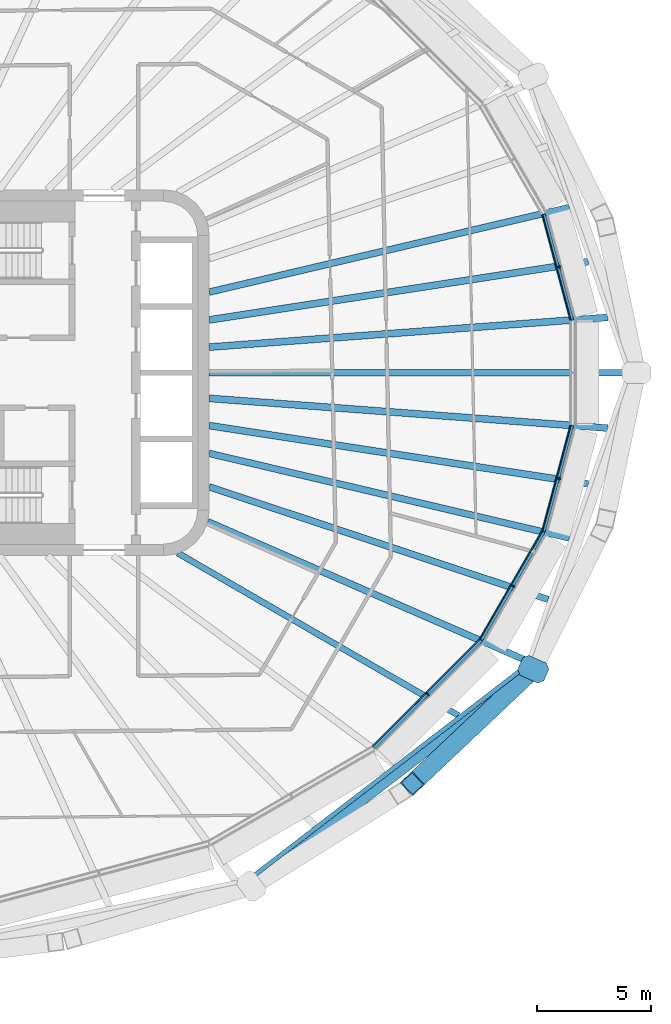
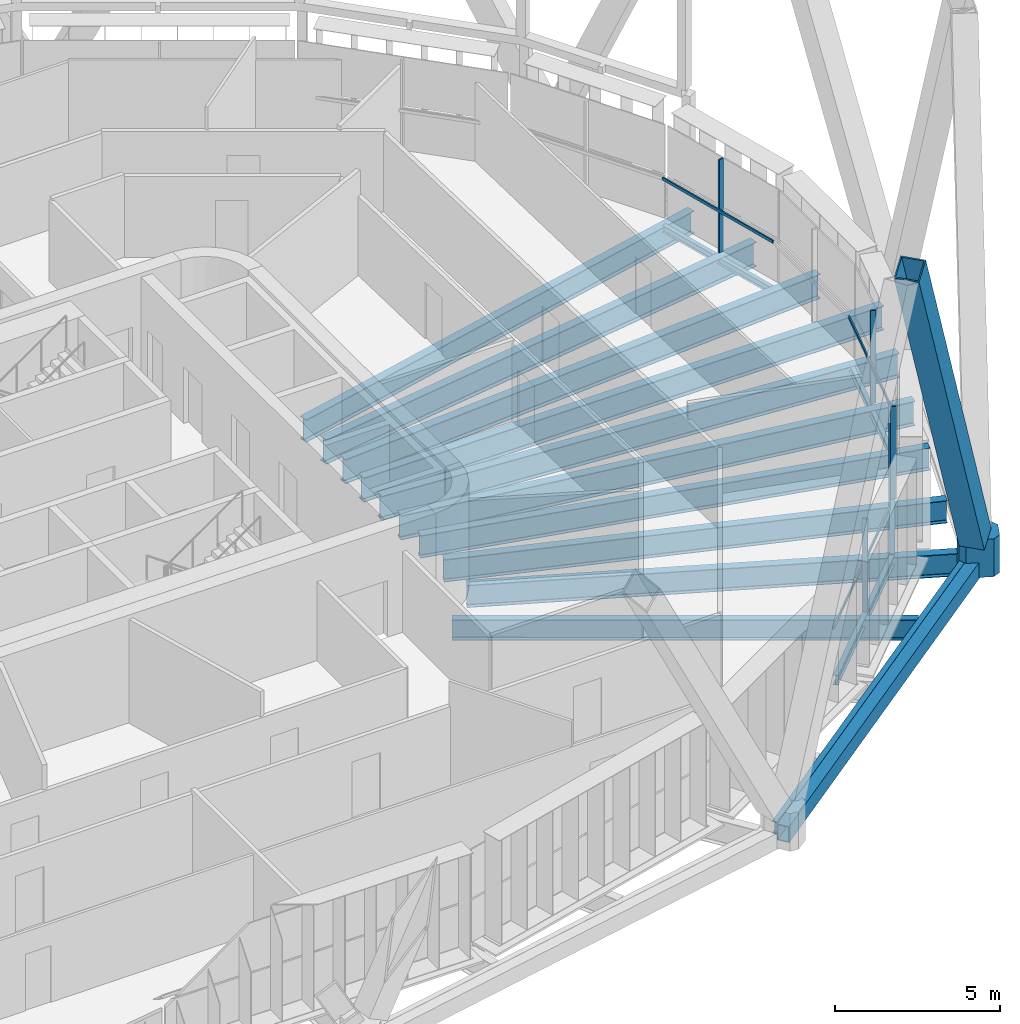
# One storey, part 4 of 25: 16 beams, 10 members, 4 elements without a shape of their own.
"""IFC4 building model written with IfcOpenShell, lengths in metres."""

from ifc_helpers import new_model, si_unit, direction, frame, origin, origin_2d, place, context, subcontext, project, spatial, polyline, rectangle, hollow_rectangle, i_section, outline, extrude, material, layer, layer_set, material_profile, profile_set, type_object, element, aggregate, save


model = new_model("IFC4")

# Units and contexts
model_context = context("Model", 3, precision=1e-05, world=origin(), true_north=direction((0.0, 1.0)))
body_context = subcontext(model_context, "Body", "Model", "MODEL_VIEW")
ifc_project = project(units=[si_unit("LENGTHUNIT", "METRE"), si_unit("AREAUNIT", "SQUARE_METRE"), si_unit("VOLUMEUNIT", "CUBIC_METRE"), si_unit("PLANEANGLEUNIT", "RADIAN"), si_unit("MASSUNIT", "GRAM", prefix="KILO")], contexts=[model_context])

# Site, building, storey
site_placement = place(None, origin())
site = spatial("IfcSite", under=ifc_project, at=site_placement, CompositionType="ELEMENT")
building_placement = place(site_placement, origin())
building = spatial("IfcBuilding", under=site, at=building_placement, Name="Sahrelin Media Tower", CompositionType="ELEMENT")
storey_placement = place(building_placement, frame((0.0, 0.0, 181.60009765625)))
storey = spatial("IfcBuildingStorey", under=building, at=storey_placement, Name="L38", CompositionType="ELEMENT", Elevation=181.60009765625)

# Members
ifc_material_1 = material(Name="Steel S460", Category="steel")
ifc_material_profile_1 = material_profile(ifc_material_1, hollow_rectangle(XDim=0.800048828125, YDim=0.800048828125, WallThickness=0.044921875, at=origin_2d()), Name="Diagrid diagonal DG5")
ifc_profile_set_1 = profile_set([ifc_material_profile_1], Name="Steel S460")
member_type_1 = type_object("IfcMemberType", Name="Diagrid diagonal DG5", PredefinedType="BRACE", material=ifc_profile_set_1)
member_1_placement = place(storey_placement, frame((28.927001953125, -13.191162109375, 0.699951171875), z_axis=(-0.312231776108, -0.295199304716, 0.90297767884), x_axis=(0.687009358213, -0.726648568242, 0.0)))
element("IfcMember", 1, at=member_1_placement, inside=storey, type_object=member_type_1, Name="Diagrid diagonal D08-21", PredefinedType="BRACE", context=body_context, shape_type="SweptSolid", body=[
    extrude(hollow_rectangle(XDim=0.800048828125, YDim=0.800048828125, WallThickness=0.044921875, at=origin_2d()), origin(), (0.0, 0.0, 1.0), 16.16845703125),
])
ifc_material_profile_2 = material_profile(ifc_material_1, outline(polyline([(0.425048828125, -0.47509765625), (0.625, -0.27490234375), (0.625, 0.27490234375), (0.425048828125, 0.47509765625), (-0.425048828125, 0.47509765625), (-0.625, 0.27490234375), (-0.625, -0.27490234375), (-0.425048828125, -0.47509765625), (0.425048828125, -0.47509765625)])), Name="Diagrid node block 1250")
ifc_profile_set_2 = profile_set([ifc_material_profile_2], Name="Steel S460")
member_type_2 = type_object("IfcMemberType", Name="Diagrid node block 1250", PredefinedType="USERDEFINED", material=ifc_profile_set_2)
member_2_placement = place(storey_placement, frame((29.169189453125, -12.96240234375, -0.7001953125), z_axis=(0.0, 0.0, 1.0), x_axis=(0.913831317054, -0.40609398416, 0.0)))
element("IfcMember", 2, at=member_2_placement, inside=storey, type_object=member_type_2, Name="Diagrid node N08-11", ObjectType="NODE", PredefinedType="USERDEFINED", context=body_context, shape_type="SweptSolid", body=[
    extrude(outline(polyline([(0.425048828125, -0.47509765625), (0.625, -0.27490234375), (0.625, 0.27490234375), (0.425048828125, 0.47509765625), (-0.425048828125, 0.47509765625), (-0.625, 0.27490234375), (-0.625, -0.27490234375), (-0.425048828125, -0.47509765625), (0.425048828125, -0.47509765625)])), origin(), (0.0, 0.0, 1.0), 1.400146484375),
])

# Beams
ifc_material_profile_3 = material_profile(ifc_material_1, hollow_rectangle(XDim=0.39990234375, YDim=0.60009765625, WallThickness=0.030029296875, at=origin_2d()), Name="Diagrid ring beam RB1")
ifc_profile_set_3 = profile_set([ifc_material_profile_3], Name="Steel S460")
beam_type_1 = type_object("IfcBeamType", Name="Diagrid ring beam RB1", PredefinedType="BEAM", material=ifc_profile_set_3)
beam_1_placement = place(storey_placement, frame((16.8408203125, -22.451416015625, -0.4501953125), z_axis=(0.792448358215, 0.609939012986, 0.0), x_axis=(-0.609939012986, 0.792448358215, 0.0)))
element("IfcBeam", 3, at=beam_1_placement, inside=storey, type_object=beam_type_1, Name="Diagrid ring beam RB08-10", PredefinedType="BEAM", context=body_context, shape_type="SweptSolid", body=[
    extrude(hollow_rectangle(XDim=0.39990234375, YDim=0.60009765625, WallThickness=0.030029296875, at=origin_2d()), origin(), (0.0, 0.0, 1.0), 15.557373046875),
])
ifc_material_2 = material(Name="Steel S355", Category="steel")
ifc_material_profile_4 = material_profile(ifc_material_2, i_section(OverallWidth=0.14599609375, OverallDepth=0.25146484375, WebThickness=0.006103515625, FlangeThickness=0.008544921875, FilletRadius=0.007568359375, at=origin_2d()), Name="UB 254x146x31")
ifc_profile_set_4 = profile_set([ifc_material_profile_4], Name="Steel S355")
beam_type_2 = type_object("IfcBeamType", Name="Edge beam EB1", PredefinedType="BEAM", material=ifc_profile_set_4)
for number, where, z_axis, x_axis, name in (
    (4, (30.86181640625, -2.310791015625, -0.27587890625), (-0.258794837809, -0.965932312289, 0.0), (0.965932312289, -0.258794837809, 0.0), "Edge beam L38-02"),
    (5, (29.62548828125, 6.92529296875, -0.27587890625), (0.258794837809, -0.965932312289, 0.0), (0.965932312289, 0.258794837809, 0.0), "Edge beam L38-24"),
):
    element("IfcBeam", number, at=place(storey_placement, frame(where, z_axis=z_axis, x_axis=x_axis)), inside=storey, type_object=beam_type_2, Name=name, PredefinedType="BEAM", context=body_context, shape_type="SweptSolid", body=[
        extrude(i_section(OverallWidth=0.14599609375, OverallDepth=0.25146484375, WebThickness=0.006103515625, FlangeThickness=0.008544921875, FilletRadius=0.007568359375, at=origin_2d()), origin(), (0.0, 0.0, 1.0), 4.77734375),
    ])
ifc_material_profile_5 = material_profile(ifc_material_2, i_section(OverallWidth=0.1650390625, OverallDepth=0.303466796875, WebThickness=0.006103515625, FlangeThickness=0.01025390625, FilletRadius=0.0087890625, at=origin_2d()), Name="UB 305x165x40")
ifc_profile_set_5 = profile_set([ifc_material_profile_5], Name="Steel S355")
beam_type_3 = type_object("IfcBeamType", Name="Edge beam EB2", PredefinedType="BEAM", material=ifc_profile_set_5)
beam_2_placement = place(storey_placement, frame((29.614501953125, -6.951904296875, -0.3017578125), z_axis=(-0.50004975141, -0.865996677889, 0.0), x_axis=(0.865996677889, -0.50004975141, 0.0)))
element("IfcBeam", 6, at=beam_2_placement, inside=storey, type_object=beam_type_3, Name="Edge beam L38-03", PredefinedType="BEAM", context=body_context, shape_type="SweptSolid", body=[
    extrude(i_section(OverallWidth=0.1650390625, OverallDepth=0.303466796875, WebThickness=0.006103515625, FlangeThickness=0.01025390625, FilletRadius=0.0087890625, at=origin_2d()), origin(), (0.0, 0.0, 1.0), 5.4453125),
])
ifc_material_profile_6 = material_profile(ifc_material_2, i_section(OverallWidth=0.17138671875, OverallDepth=0.35498046875, WebThickness=0.00732421875, FlangeThickness=0.011474609375, FilletRadius=0.01025390625, at=origin_2d()), Name="UB 356x171x51")
ifc_profile_set_6 = profile_set([ifc_material_profile_6], Name="Steel S355")
beam_type_4 = type_object("IfcBeamType", Name="Edge beam EB3", PredefinedType="BEAM", material=ifc_profile_set_6)
beam_3_placement = place(storey_placement, frame((26.874267578125, -11.6904296875, -0.32763671875), z_axis=(-0.707106781187, -0.707106781187, 0.0), x_axis=(0.707106781187, -0.707106781187, 0.0)))
element("IfcBeam", 7, at=beam_3_placement, inside=storey, type_object=beam_type_4, Name="Edge beam L38-04", PredefinedType="BEAM", context=body_context, shape_type="SweptSolid", body=[
    extrude(i_section(OverallWidth=0.17138671875, OverallDepth=0.35498046875, WebThickness=0.00732421875, FlangeThickness=0.011474609375, FilletRadius=0.01025390625, at=origin_2d()), origin(), (0.0, 0.0, 1.0), 6.630615234375),
])

# Curtain wall, member
ifc_material_3 = material(Name="Champagne anodised aluminium 6063-T6", Category="aluminium")
ifc_layer = layer(ifc_material_3, 0.14990234375)
ifc_layer_set = layer_set([ifc_layer], Name="Tower ribbon curtain wall")
curtain_wall_type = type_object("IfcCurtainWallType", Name="Tower ribbon curtain wall", PredefinedType="NOTDEFINED", material=ifc_layer_set)
curtain_wall_1_placement = place(storey_placement, frame((30.388427734375, 4.65673828125, 0.0), z_axis=(0.0, 0.0, 1.0), x_axis=(1.0, 0.0, 0.0)))
curtain_wall_1 = element("IfcCurtainWall", 8, at=curtain_wall_1_placement, inside=storey, type_object=curtain_wall_type, Name="L38:CW:L38-01", PredefinedType="NOTDEFINED")
ifc_material_profile_7 = material_profile(ifc_material_3, rectangle(XDim=0.06005859375, YDim=0.175048828125, at=origin_2d()), Name="Mullion 60x175")
ifc_profile_set_7 = profile_set([ifc_material_profile_7], Name="Champagne anodised aluminium 6063-T6")
member_type_3 = type_object("IfcMemberType", Name="Mullion 60x175 CW1B", PredefinedType="MULLION", material=ifc_profile_set_7)
member_3_placement = place(storey_placement, frame((30.28466796875, 4.62890625, 0.0), z_axis=(0.0, 0.0, 1.0), x_axis=(-0.258830846093, 0.965922664146, 0.0)))
member_3 = element("IfcMember", 9, at=member_3_placement, type_object=member_type_3, Name="L38:CWM:L38-01", PredefinedType="MULLION", context=body_context, shape_type="SweptSolid", body=[
    extrude(rectangle(XDim=0.06005859375, YDim=0.175048828125, at=origin_2d()), origin(), (0.0, 0.0, 1.0), 3.448486328125),
])

curtain_wall_2_placement = place(storey_placement, frame((24.635986328125, -14.140625, 0.0), z_axis=(0.0, 0.0, 1.0), x_axis=(1.0, 0.0, 0.0)))
curtain_wall_2 = element("IfcCurtainWall", 10, at=curtain_wall_2_placement, inside=storey, type_object=curtain_wall_type, Name="L38:CW:L38-21", PredefinedType="NOTDEFINED")
member_4_placement = place(storey_placement, frame((24.56005859375, -14.064697265625, 0.0), z_axis=(0.0, 0.0, 1.0), x_axis=(0.707106781187, 0.707106781187, 0.0)))
member_4 = element("IfcMember", 11, at=member_4_placement, type_object=member_type_3, Name="L38:CWM:L38-21", PredefinedType="MULLION", context=body_context, shape_type="SweptSolid", body=[
    extrude(rectangle(XDim=0.06005859375, YDim=0.175048828125, at=origin_2d()), origin(), (0.0, 0.0, 1.0), 3.448486328125),
])

curtain_wall_3_placement = place(storey_placement, frame((28.3828125, -9.384521484375, 0.0), z_axis=(0.0, 0.0, 1.0), x_axis=(1.0, 0.0, 0.0)))
curtain_wall_3 = element("IfcCurtainWall", 12, at=curtain_wall_3_placement, inside=storey, type_object=curtain_wall_type, Name="L38:CW:L38-22", PredefinedType="NOTDEFINED")
member_5_placement = place(storey_placement, frame((28.289794921875, -9.330810546875, 0.0), z_axis=(0.0, 0.0, 1.0), x_axis=(0.5, 0.866025403784, 0.0)))
member_5 = element("IfcMember", 13, at=member_5_placement, type_object=member_type_3, Name="L38:CWM:L38-22", PredefinedType="MULLION", context=body_context, shape_type="SweptSolid", body=[
    extrude(rectangle(XDim=0.06005859375, YDim=0.175048828125, at=origin_2d()), origin(), (0.0, 0.0, 1.0), 3.448486328125),
])

curtain_wall_4_placement = place(storey_placement, frame((30.388427734375, -4.656982421875, 0.0), z_axis=(0.0, 0.0, 1.0), x_axis=(1.0, 0.0, 0.0)))
curtain_wall_4 = element("IfcCurtainWall", 14, at=curtain_wall_4_placement, inside=storey, type_object=curtain_wall_type, Name="L38:CW:L38-23", PredefinedType="NOTDEFINED")
member_6_placement = place(storey_placement, frame((30.28466796875, -4.62890625, 0.0), z_axis=(0.0, 0.0, 1.0), x_axis=(0.258830846093, 0.965922664146, 0.0)))
member_6 = element("IfcMember", 15, at=member_6_placement, type_object=member_type_3, Name="L38:CWM:L38-23", PredefinedType="MULLION", context=body_context, shape_type="SweptSolid", body=[
    extrude(rectangle(XDim=0.06005859375, YDim=0.175048828125, at=origin_2d()), origin(), (0.0, 0.0, 1.0), 3.448486328125),
])

# Beams
ifc_material_profile_8 = material_profile(ifc_material_2, i_section(OverallWidth=0.291748046875, OverallDepth=0.8349609375, WebThickness=0.013916015625, FlangeThickness=0.018798828125, FilletRadius=0.017822265625, at=origin_2d()), Name="UB 838x292x176")
ifc_profile_set_8 = profile_set([ifc_material_profile_8], Name="Steel S355")
beam_type_5 = type_object("IfcBeamType", Name="Radial primary beam PB10", PredefinedType="BEAM", material=ifc_profile_set_8)
beam_4_placement = place(storey_placement, frame((15.0, 3.526611328125, -0.567626953125), z_axis=(0.973457532719, 0.228867717234, 0.0), x_axis=(-0.228867717234, 0.973457532719, 0.0)))
element("IfcBeam", 16, at=beam_4_placement, inside=storey, type_object=beam_type_5, Name="Radial beam L38-02", PredefinedType="BEAM", context=body_context, shape_type="SweptSolid", body=[
    extrude(i_section(OverallWidth=0.291748046875, OverallDepth=0.8349609375, WebThickness=0.013916015625, FlangeThickness=0.018798828125, FilletRadius=0.017822265625, at=origin_2d()), origin(), (0.0, 0.0, 1.0), 16.176025390625),
])
beam_5_placement = place(storey_placement, frame((14.932861328125, -6.509765625, -0.567626953125), z_axis=(0.916683907523, -0.399613079977, 0.0), x_axis=(0.399613079977, 0.916683907523, 0.0)))
element("IfcBeam", 17, at=beam_5_placement, inside=storey, type_object=beam_type_5, Name="Radial beam L38-22", PredefinedType="BEAM", context=body_context, shape_type="SweptSolid", body=[
    extrude(i_section(OverallWidth=0.291748046875, OverallDepth=0.8349609375, WebThickness=0.013916015625, FlangeThickness=0.018798828125, FilletRadius=0.017822265625, at=origin_2d()), origin(), (0.0, 0.0, 1.0), 15.21484375),
])
beam_6_placement = place(storey_placement, frame((15.0, -3.526611328125, -0.567626953125), z_axis=(0.973457532719, -0.228867717234, 0.0), x_axis=(0.228867717234, 0.973457532719, 0.0)))
element("IfcBeam", 18, at=beam_6_placement, inside=storey, type_object=beam_type_5, Name="Radial beam L38-23", PredefinedType="BEAM", context=body_context, shape_type="SweptSolid", body=[
    extrude(i_section(OverallWidth=0.291748046875, OverallDepth=0.8349609375, WebThickness=0.013916015625, FlangeThickness=0.018798828125, FilletRadius=0.017822265625, at=origin_2d()), origin(), (0.0, 0.0, 1.0), 16.176025390625),
])
ifc_material_profile_9 = material_profile(ifc_material_2, i_section(OverallWidth=0.30322265625, OverallDepth=0.903076171875, WebThickness=0.01513671875, FlangeThickness=0.020263671875, FilletRadius=0.01904296875, at=origin_2d()), Name="UB 914x305x201")
ifc_profile_set_9 = profile_set([ifc_material_profile_9], Name="Steel S355")
beam_type_6 = type_object("IfcBeamType", Name="Radial primary beam PB11", PredefinedType="BEAM", material=ifc_profile_set_9)
for number, where, z_axis, x_axis, name in (
    (19, (15.0, 1.120361328125, -0.6015625), (0.997222609805, 0.07447863112, 0.0), (-0.07447863112, 0.997222609805, 0.0), "Radial beam L38-01"),
    (20, (15.0, -1.120361328125, -0.6015625), (0.997222609805, -0.07447863112, 0.0), (0.07447863112, 0.997222609805, 0.0), "Radial beam L38-24"),
):
    element("IfcBeam", number, at=place(storey_placement, frame(where, z_axis=z_axis, x_axis=x_axis)), inside=storey, type_object=beam_type_6, Name=name, PredefinedType="BEAM", context=body_context, shape_type="SweptSolid", body=[
        extrude(i_section(OverallWidth=0.30322265625, OverallDepth=0.903076171875, WebThickness=0.01513671875, FlangeThickness=0.020263671875, FilletRadius=0.01904296875, at=origin_2d()), origin(), (0.0, 0.0, 1.0), 17.468505859375),
    ])
ifc_material_profile_10 = material_profile(ifc_material_2, i_section(OverallWidth=0.291748046875, OverallDepth=0.8349609375, WebThickness=0.013916015625, FlangeThickness=0.018798828125, FilletRadius=0.017822265625, at=origin_2d()), Name="UB 838x292x176")
ifc_profile_set_10 = profile_set([ifc_material_profile_10], Name="Steel S355")
beam_type_7 = type_object("IfcBeamType", Name="Radial secondary beam SB10", PredefinedType="BEAM", material=ifc_profile_set_10)
beam_7_placement = place(storey_placement, frame((15.0, -4.987548828125, -0.567626953125), z_axis=(0.948920764558, -0.315514472869, 0.0), x_axis=(0.315514472869, 0.948920764558, 0.0)))
element("IfcBeam", 21, at=beam_7_placement, inside=storey, type_object=beam_type_7, Name="Secondary beam L38-22", PredefinedType="BEAM", context=body_context, shape_type="SweptSolid", body=[
    extrude(i_section(OverallWidth=0.291748046875, OverallDepth=0.8349609375, WebThickness=0.013916015625, FlangeThickness=0.018798828125, FilletRadius=0.017822265625, at=origin_2d()), origin(), (0.0, 0.0, 1.0), 15.609619140625),
])
ifc_material_profile_11 = material_profile(ifc_material_2, i_section(OverallWidth=0.30322265625, OverallDepth=0.903076171875, WebThickness=0.01513671875, FlangeThickness=0.020263671875, FilletRadius=0.01904296875, at=origin_2d()), Name="UB 914x305x201")
ifc_profile_set_11 = profile_set([ifc_material_profile_11], Name="Steel S355")
beam_type_8 = type_object("IfcBeamType", Name="Radial secondary beam SB11", PredefinedType="BEAM", material=ifc_profile_set_11)
for number, where, z_axis, x_axis, name in (
    (22, (15.0, 2.30908203125, -0.6015625), (0.988359574162, 0.152135966039, 0.0), (-0.152135966039, 0.988359574162, 0.0), "Secondary beam L38-01"),
    (23, (15.0, -2.30908203125, -0.6015625), (0.988359574162, -0.152135966039, 0.0), (0.152135966039, 0.988359574162, 0.0), "Secondary beam L38-23"),
):
    element("IfcBeam", number, at=place(storey_placement, frame(where, z_axis=z_axis, x_axis=x_axis)), inside=storey, type_object=beam_type_8, Name=name, PredefinedType="BEAM", context=body_context, shape_type="SweptSolid", body=[
        extrude(i_section(OverallWidth=0.30322265625, OverallDepth=0.903076171875, WebThickness=0.01513671875, FlangeThickness=0.020263671875, FilletRadius=0.01904296875, at=origin_2d()), origin(), (0.0, 0.0, 1.0), 16.766357421875),
    ])
beam_8_placement = place(storey_placement, frame((15.0, 0.0, -0.6015625), z_axis=(1.0, 0.0, 0.0), x_axis=(0.0, 1.0, 0.0)))
element("IfcBeam", 24, at=beam_8_placement, inside=storey, type_object=beam_type_8, Name="Secondary beam L38-24", PredefinedType="BEAM", context=body_context, shape_type="SweptSolid", body=[
    extrude(i_section(OverallWidth=0.30322265625, OverallDepth=0.903076171875, WebThickness=0.01513671875, FlangeThickness=0.020263671875, FilletRadius=0.01904296875, at=origin_2d()), origin(), (0.0, 0.0, 1.0), 18.262939453125),
])
ifc_material_profile_12 = material_profile(ifc_material_2, i_section(OverallWidth=0.26513671875, OverallDepth=0.75390625, WebThickness=0.0126953125, FlangeThickness=0.017578125, FilletRadius=0.0166015625, at=origin_2d()), Name="UB 762x267x147")
ifc_profile_set_12 = profile_set([ifc_material_profile_12], Name="Steel S355")
beam_type_9 = type_object("IfcBeamType", Name="Radial secondary beam SB9", PredefinedType="BEAM", material=ifc_profile_set_12)
beam_9_placement = place(storey_placement, frame((13.62890625, -7.8857421875, -0.527099609375), z_axis=(0.865557960624, -0.500808762704, 0.0), x_axis=(0.500808762704, 0.865557960624, 0.0)))
element("IfcBeam", 25, at=beam_9_placement, inside=storey, type_object=beam_type_9, Name="Secondary beam L38-21", PredefinedType="BEAM", context=body_context, shape_type="SweptSolid", body=[
    extrude(i_section(OverallWidth=0.26513671875, OverallDepth=0.75390625, WebThickness=0.0126953125, FlangeThickness=0.017578125, FilletRadius=0.0166015625, at=origin_2d()), origin(), (0.0, 0.0, 1.0), 14.171875),
])
ifc_material_profile_13 = material_profile(ifc_material_2, i_section(OverallWidth=0.1904296875, OverallDepth=0.45703125, WebThickness=0.009033203125, FlangeThickness=0.014404296875, FilletRadius=0.01025390625, at=origin_2d()), Name="UB 457x191x74")
ifc_profile_set_13 = profile_set([ifc_material_profile_13], Name="Steel S355")
beam_type_10 = type_object("IfcBeamType", Name="Tie chord TC5", PredefinedType="BEAM", material=ifc_profile_set_13)
beam_10_placement = place(storey_placement, frame((28.9150390625, -12.779052734375, -0.378662109375), z_axis=(-0.792439471155, -0.609950559108, 0.0), x_axis=(0.609950559108, -0.792439471155, 0.0)))
element("IfcBeam", 26, at=beam_10_placement, inside=storey, type_object=beam_type_10, Name="Tie chord L38-02", PredefinedType="BEAM", context=body_context, shape_type="SweptSolid", body=[
    extrude(i_section(OverallWidth=0.1904296875, OverallDepth=0.45703125, WebThickness=0.009033203125, FlangeThickness=0.014404296875, FilletRadius=0.01025390625, at=origin_2d()), origin(), (0.0, 0.0, 1.0), 15.3984375),
])

# Member
ifc_material_profile_14 = material_profile(ifc_material_3, rectangle(XDim=0.050048828125, YDim=0.110107421875, at=origin_2d()), Name="Transom 50x110")
ifc_profile_set_14 = profile_set([ifc_material_profile_14], Name="Champagne anodised aluminium 6063-T6")
member_type_4 = type_object("IfcMemberType", Name="Transom 50x110 CW1B", PredefinedType="USERDEFINED", material=ifc_profile_set_14)
member_7_placement = place(storey_placement, frame((30.790283203125, 2.30810546875, 1.599853515625), z_axis=(-0.258879232783, 0.965909697039, 0.0), x_axis=(-0.965909697039, -0.258879232783, 0.0)))
member_7 = element("IfcMember", 27, at=member_7_placement, type_object=member_type_4, Name="L38:CWT:L38-01", ObjectType="TRANSOM", PredefinedType="USERDEFINED", context=body_context, shape_type="SweptSolid", body=[
    extrude(rectangle(XDim=0.050048828125, YDim=0.110107421875, at=origin_2d()), origin(), (0.0, 0.0, 1.0), 4.74560546875),
])

aggregate(curtain_wall_1, [member_3, member_7])

member_8_placement = place(storey_placement, frame((22.147216796875, -16.318359375, 1.599853515625), z_axis=(0.707125278519, 0.70708828337, 0.0), x_axis=(-0.70708828337, 0.707125278519, 0.0)))
member_8 = element("IfcMember", 28, at=member_8_placement, type_object=member_type_4, Name="L38:CWT:L38-21", ObjectType="TRANSOM", PredefinedType="USERDEFINED", context=body_context, shape_type="SweptSolid", body=[
    extrude(rectangle(XDim=0.050048828125, YDim=0.110107421875, at=origin_2d()), origin(), (0.0, 0.0, 1.0), 6.599365234375),
])

aggregate(curtain_wall_2, [member_4, member_8])

member_9_placement = place(storey_placement, frame((26.839111328125, -11.618896484375, 1.599853515625), z_axis=(0.499985301743, 0.866033889661, 0.0), x_axis=(-0.866033889661, 0.499985301743, 0.0)))
member_9 = element("IfcMember", 29, at=member_9_placement, type_object=member_type_4, Name="L38:CWT:L38-22", ObjectType="TRANSOM", PredefinedType="USERDEFINED", context=body_context, shape_type="SweptSolid", body=[
    extrude(rectangle(XDim=0.050048828125, YDim=0.110107421875, at=origin_2d()), origin(), (0.0, 0.0, 1.0), 5.413818359375),
])

aggregate(curtain_wall_3, [member_5, member_9])

member_10_placement = place(storey_placement, frame((29.561767578125, -6.891845703125, 1.599853515625), z_axis=(0.258879232783, 0.965909697039, 0.0), x_axis=(-0.965909697039, 0.258879232783, 0.0)))
member_10 = element("IfcMember", 30, at=member_10_placement, type_object=member_type_4, Name="L38:CWT:L38-23", ObjectType="TRANSOM", PredefinedType="USERDEFINED", context=body_context, shape_type="SweptSolid", body=[
    extrude(rectangle(XDim=0.050048828125, YDim=0.110107421875, at=origin_2d()), origin(), (0.0, 0.0, 1.0), 4.74560546875),
])

aggregate(curtain_wall_4, [member_6, member_10])

save(model, "model.ifc")
